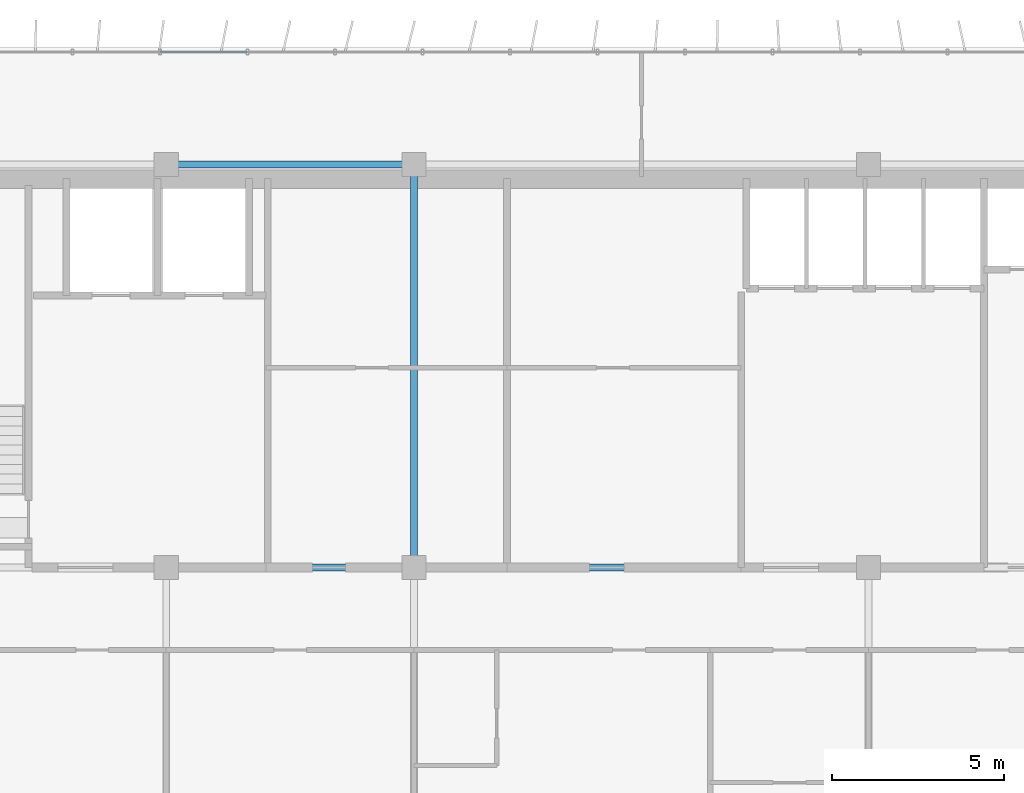
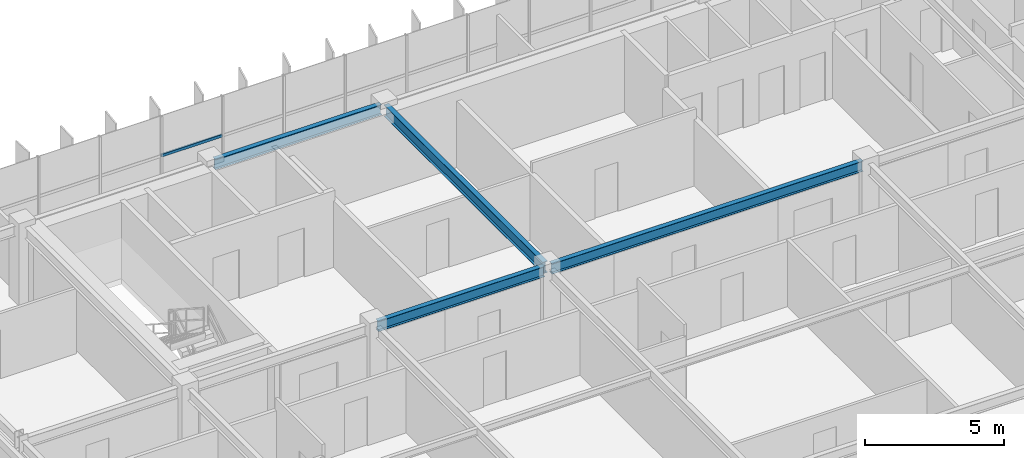
# One storey, part 7 of 23: 4 beams, 1 member, 1 element without a shape of its own.
"""IFC4 building model written with IfcOpenShell, lengths in metres."""

import ifcopenshell
import ifcopenshell.guid

model = None  # the IFC model being written
_history = None  # IfcOwnerHistory: only IFC2X3 demands one
_inside = {}  # id of a spatial element -> (the spatial element, [elements in it])
_under = {}  # id of a project, library or spatial element -> (it, [spatial elements below it])
_declared = {}  # id of a project -> (the project, [libraries it declares])
_typed = {}  # id of a type object -> (the type object, [elements of that type])
_made_of = {}  # id of a material, layer set ... -> (it, [elements and type objects made of it])


def new_model(schema):
    """Start an empty IFC model of exactly this schema.

    Asked for "IFC4X3", IfcOpenShell would pick the latest addendum, in which some entities
    have other attributes; the version numbers below select the first issue.
    IFC2X3 requires an IfcOwnerHistory on every rooted entity: one is made here for all.
    """
    global model, _history
    if schema == "IFC4X3":
        model = ifcopenshell.file(schema_version=(4, 3, 0, 0))
    else:
        model = ifcopenshell.file(schema=schema)
    _inside.clear()
    _under.clear()
    _declared.clear()
    _typed.clear()
    _made_of.clear()
    _history = None
    if model.schema == "IFC2X3":
        org = make("IfcOrganization", Name="unknown")
        user = make(
            "IfcPersonAndOrganization",
            ThePerson=make("IfcPerson", FamilyName="unknown"),
            TheOrganization=org,
        )
        app = make(
            "IfcApplication",
            ApplicationDeveloper=org,
            Version="unknown",
            ApplicationFullName="unknown",
            ApplicationIdentifier="unknown",
        )
        _history = make(
            "IfcOwnerHistory",
            OwningUser=user,
            OwningApplication=app,
            ChangeAction="ADDED",
            CreationDate=0,
        )
    return model


def make(cls, **values):
    """One entity of the class cls with the attributes given. An attribute that is None is left unset."""
    return model.create_entity(
        cls, **{name: value for name, value in values.items() if value is not None}
    )


def rooted(cls, **values):
    """An entity with a GlobalId (a new one), such as an element, a storey or a relation."""
    return make(cls, GlobalId=ifcopenshell.guid.new(), OwnerHistory=_history, **values)


def si_unit(unit_type, name, prefix=None):
    """IfcSIUnit, for example si_unit("LENGTHUNIT", "METRE", prefix="MILLI")."""
    return make("IfcSIUnit", UnitType=unit_type, Prefix=prefix, Name=name)


def assignment(units):
    """IfcUnitAssignment: the units of a project."""
    return None if units is None else make("IfcUnitAssignment", Units=units)


def point(xyz):
    """IfcCartesianPoint."""
    return None if xyz is None else make("IfcCartesianPoint", Coordinates=xyz)


def direction(xyz):
    """IfcDirection."""
    return None if xyz is None else make("IfcDirection", DirectionRatios=xyz)


def frame(location, z_axis=None, x_axis=None):
    """IfcAxis2Placement3D, a coordinate frame: its origin and axes. An axis left out is left unset."""
    return make(
        "IfcAxis2Placement3D",
        Location=point(location),
        Axis=direction(z_axis),
        RefDirection=direction(x_axis),
    )


def frame_2d(location, x_axis=None):
    """IfcAxis2Placement2D, a coordinate frame in the plane: its origin and x axis."""
    return make(
        "IfcAxis2Placement2D", Location=point(location), RefDirection=direction(x_axis)
    )


def origin():
    """The frame at (0, 0, 0) with its axes left unset."""
    return frame((0.0, 0.0, 0.0))


def origin_2d():
    """The frame at (0, 0) in the plane with its x axis left unset."""
    return frame_2d((0.0, 0.0))


def place(relative_to, where):
    """IfcLocalPlacement: puts the frame where relative to a parent placement (None: the world)."""
    return make(
        "IfcLocalPlacement", PlacementRelTo=relative_to, RelativePlacement=where
    )


def context(
    kind, dimensions, precision=None, world=None, true_north=None, identifier=None
):
    """IfcGeometricRepresentationContext, for example the 3D "Model" context."""
    return make(
        "IfcGeometricRepresentationContext",
        ContextIdentifier=identifier,
        ContextType=kind,
        CoordinateSpaceDimension=dimensions,
        Precision=precision,
        WorldCoordinateSystem=world,
        TrueNorth=true_north,
    )


def subcontext(parent, identifier, kind, view, scale=None):
    """IfcGeometricRepresentationSubContext, for example "Body" below "Model"."""
    return make(
        "IfcGeometricRepresentationSubContext",
        ContextIdentifier=identifier,
        ContextType=kind,
        ParentContext=parent,
        TargetScale=scale,
        TargetView=view,
    )


def project(units=None, contexts=None):
    """IfcProject with its units and contexts."""
    return rooted(
        "IfcProject",
        Name="project",
        RepresentationContexts=contexts,
        UnitsInContext=assignment(units),
    )


def spatial(cls, under=None, at=None, **own):
    """A site, building, storey or space (cls), placed at a placement, below another one or the project."""
    s = rooted(cls, ObjectPlacement=at, **own)
    if under is not None:
        _under.setdefault(under.id(), (under, []))[1].append(s)
    return s


def profile(cls, at=None, kind="AREA", **sizes):
    """A parametric profile (cls). Its sizes go by their IFC names, for example OverallWidth=200.0."""
    return make(cls, ProfileType=kind, Position=at, **sizes)


def hollow_rectangle(**sizes):
    """IfcRectangleHollowProfileDef."""
    return profile("IfcRectangleHollowProfileDef", **sizes)


def i_section(**sizes):
    """IfcIShapeProfileDef."""
    return profile("IfcIShapeProfileDef", **sizes)


def extrude(swept, where, along, depth):
    """IfcExtrudedAreaSolid: the profile swept, set in the frame where, extruded along a direction by depth."""
    return make(
        "IfcExtrudedAreaSolid",
        SweptArea=swept,
        Position=where,
        ExtrudedDirection=direction(along),
        Depth=depth,
    )


def shape(context_of_items, identifier, shape_type, items):
    """IfcShapeRepresentation: the items that make up one representation, for example the "Body"."""
    return make(
        "IfcShapeRepresentation",
        ContextOfItems=context_of_items,
        RepresentationIdentifier=identifier,
        RepresentationType=shape_type,
        Items=items,
    )


def source(mapping_origin, context_of_items, identifier, shape_type, items):
    """IfcRepresentationMap: a shape defined once, which mapped items show again and again."""
    return make(
        "IfcRepresentationMap",
        MappingOrigin=mapping_origin,
        MappedRepresentation=shape(context_of_items, identifier, shape_type, items),
    )


def transform(
    local_origin,
    x_axis=None,
    y_axis=None,
    z_axis=None,
    scale=None,
    scale2=None,
    scale3=None,
    uniform=True,
):
    """IfcCartesianTransformationOperator3D, or its non-uniform kind. x_axis, y_axis, z_axis: its Axis1, 2, 3."""
    if uniform:
        return make(
            "IfcCartesianTransformationOperator3D",
            Axis1=direction(x_axis),
            Axis2=direction(y_axis),
            LocalOrigin=point(local_origin),
            Scale=scale,
            Axis3=direction(z_axis),
        )
    return make(
        "IfcCartesianTransformationOperator3DnonUniform",
        Axis1=direction(x_axis),
        Axis2=direction(y_axis),
        LocalOrigin=point(local_origin),
        Scale=scale,
        Axis3=direction(z_axis),
        Scale2=scale2,
        Scale3=scale3,
    )


def mapped(mapping_source, mapping_target):
    """IfcMappedItem: shows the shape of a source again, moved by a transform."""
    return make(
        "IfcMappedItem", MappingSource=mapping_source, MappingTarget=mapping_target
    )


def material(Name=None, Category=None):
    """IfcMaterial."""
    return make("IfcMaterial", Name=Name, Category=Category)


def material_profile(
    of_material, cross_section, Name=None, Category=None, Priority=None
):
    """IfcMaterialProfile: a cross section and its material."""
    return make(
        "IfcMaterialProfile",
        Name=Name,
        Material=of_material,
        Profile=cross_section,
        Priority=Priority,
        Category=Category,
    )


def profile_set(profiles, Name=None, composite=None):
    """IfcMaterialProfileSet."""
    return make(
        "IfcMaterialProfileSet",
        Name=Name,
        MaterialProfiles=profiles,
        CompositeProfile=composite,
    )


def made_of(thing, what):
    """Note that an element or type object is made of a material, layer set ...; save() writes the relation."""
    if what is not None:
        _made_of.setdefault(what.id(), (what, []))[1].append(thing)
    return thing


def type_object(cls, material=None, **own):
    """A type object (cls), such as IfcWallType, which elements share."""
    return made_of(rooted(cls, **own), material)


def element(
    cls,
    number,
    at=None,
    inside=None,
    cuts=None,
    type_object=None,
    material=None,
    context=None,
    identifier="Body",
    shape_type=None,
    held_by="IfcProductDefinitionShape",
    body=None,
    shapes=None,
    **own,
):
    """One element of the class cls, such as IfcWall. Its Tag is "e" and its number.

    at: its placement. inside: the storey or other place that contains it. cuts: it is an
    opening in that element (IfcRelVoidsElement). A single representation is given by context,
    identifier, shape_type and body (its items); several are given by shapes. held_by: the class
    of the entity that holds the representations. save() writes the other relations.
    """
    e = rooted(cls, Tag="e%d" % number, ObjectPlacement=at, **own)
    if body is not None:
        shapes = [shape(context, identifier, shape_type, body)]
    if shapes is not None:
        e.Representation = make(held_by, Representations=shapes)
    if inside is not None:
        _inside.setdefault(inside.id(), (inside, []))[1].append(e)
    if cuts is not None:
        rooted(
            "IfcRelVoidsElement", RelatingBuildingElement=cuts, RelatedOpeningElement=e
        )
    if type_object is not None:
        _typed.setdefault(type_object.id(), (type_object, []))[1].append(e)
    return made_of(e, material)


def aggregate(whole, parts):
    """IfcRelAggregates: a whole, such as a stair, and the parts it consists of."""
    return rooted("IfcRelAggregates", RelatingObject=whole, RelatedObjects=parts)


def save(model, path):
    """Write the relations noted so far, then the file.

    IfcRelAggregates (storeys below a building ...), IfcRelContainedInSpatialStructure (elements
    in a storey), IfcRelDefinesByType, IfcRelAssociatesMaterial and IfcRelDeclares: one each for
    every whole, place, type object, material and project.
    """
    for whole, parts in _under.values():
        aggregate(whole, parts)
    for where, things in _inside.values():
        rooted(
            "IfcRelContainedInSpatialStructure",
            RelatedElements=things,
            RelatingStructure=where,
        )
    for kind, things in _typed.values():
        rooted("IfcRelDefinesByType", RelatedObjects=things, RelatingType=kind)
    for what, things in _made_of.values():
        rooted("IfcRelAssociatesMaterial", RelatedObjects=things, RelatingMaterial=what)
    for by, libraries in _declared.values():
        rooted("IfcRelDeclares", RelatingContext=by, RelatedDefinitions=libraries)
    model.write(path)


model = new_model("IFC4")

# Units and contexts
model_context = context("Model", 3, precision=1e-05, world=origin(), true_north=direction((0.0, 1.0)))
body_context = subcontext(model_context, "Body", "Model", "MODEL_VIEW")
ifc_project = project(units=[si_unit("LENGTHUNIT", "METRE"), si_unit("AREAUNIT", "SQUARE_METRE"), si_unit("VOLUMEUNIT", "CUBIC_METRE"), si_unit("PLANEANGLEUNIT", "RADIAN"), si_unit("MASSUNIT", "GRAM", prefix="KILO")], contexts=[model_context])

# Site, building, storey
site_placement = place(None, origin())
site = spatial("IfcSite", under=ifc_project, at=site_placement, CompositionType="ELEMENT")
building_placement = place(site_placement, origin())
building = spatial("IfcBuilding", under=site, at=building_placement, Name="Trelvane Seafront Commons", CompositionType="ELEMENT")
storey_placement = place(building_placement, frame((0.0, 0.0, 230.10009765625)))
storey = spatial("IfcBuildingStorey", under=building, at=storey_placement, Name="L60", CompositionType="ELEMENT", Elevation=230.10009765625)

# Beams
ifc_material_1 = material(Name="Steel SM355 (S355)", Category="steel")
ifc_material_profile_1 = material_profile(ifc_material_1, i_section(OverallWidth=0.199951171875, OverallDepth=0.5, WebThickness=0.010009765625, FlangeThickness=0.01611328125, at=origin_2d()), Name="H-500x200x10x16")
ifc_profile_set_1 = profile_set([ifc_material_profile_1], Name="Steel SM355 (S355)")
beam_type_1 = type_object("IfcBeamType", Name="STR-BM-H500", PredefinedType="BEAM", material=ifc_profile_set_1)
shared_shape_1 = source(origin(), body_context, "Body", "SweptSolid", [
    extrude(i_section(OverallWidth=0.199951171875, OverallDepth=0.5, WebThickness=0.010009765625, FlangeThickness=0.01611328125, at=origin_2d()), origin(), (0.0, 0.0, 1.0), 11.39990234375),
])
beam_1_placement = place(storey_placement, frame((30.60009765625, 33.550048828125, 3.10986328125), z_axis=(0.0, 1.0, 0.0), x_axis=(-1.0, 0.0, 0.0)))
element("IfcBeam", 1, at=beam_1_placement, inside=storey, type_object=beam_type_1, Name="L60 Primary Girder G-40", PredefinedType="BEAM", context=body_context, shape_type="MappedRepresentation", body=[
    mapped(shared_shape_1, transform((0.0, 0.0, 0.0), x_axis=(1.0, 0.0, 0.0), y_axis=(0.0, 1.0, 0.0), z_axis=(0.0, 0.0, 1.0), scale=1.0)),
])
ifc_material_profile_2 = material_profile(ifc_material_1, i_section(OverallWidth=0.199951171875, OverallDepth=0.449951171875, WebThickness=0.009033203125, FlangeThickness=0.013916015625, at=origin_2d()), Name="H-450x200x9x14")
ifc_profile_set_2 = profile_set([ifc_material_profile_2], Name="Steel SM355 (S355)")
beam_type_2 = type_object("IfcBeamType", Name="STR-SPD-H450", PredefinedType="SPANDREL", material=ifc_profile_set_2)
shared_shape_2 = source(origin(), body_context, "Body", "SweptSolid", [
    extrude(i_section(OverallWidth=0.199951171875, OverallDepth=0.449951171875, WebThickness=0.009033203125, FlangeThickness=0.013916015625, at=origin_2d()), origin(), (0.0, 0.0, 1.0), 6.89990234375),
])
for number, where, z_axis, x_axis, name in (
    (2, (23.550048828125, 33.39990234375, 3.135009765625), (1.0, 0.0, 0.0), (0.0, 1.0, 0.0), "L60 Primary Girder G-17"),
    (3, (23.550048828125, 45.10009765625, 3.135009765625), (1.0, 0.0, 0.0), (0.0, 1.0, 0.0), "L60 Primary Girder G-24"),
):
    element("IfcBeam", number, at=place(storey_placement, frame(where, z_axis=z_axis, x_axis=x_axis)), inside=storey, type_object=beam_type_2, Name=name, PredefinedType="SPANDREL", context=body_context, shape_type="MappedRepresentation", body=[
        mapped(shared_shape_2, transform((0.0, 0.0, 0.0), x_axis=(1.0, 0.0, 0.0), y_axis=(0.0, 1.0, 0.0), z_axis=(0.0, 0.0, 1.0), scale=1.0)),
    ])
shared_shape_3 = source(origin(), body_context, "Body", "SweptSolid", [
    extrude(i_section(OverallWidth=0.199951171875, OverallDepth=0.449951171875, WebThickness=0.009033203125, FlangeThickness=0.013916015625, at=origin_2d()), origin(), (0.0, 0.0, 1.0), 12.89990234375),
])
beam_2_placement = place(storey_placement, frame((30.75, 33.39990234375, 3.135009765625), z_axis=(1.0, 0.0, 0.0), x_axis=(0.0, 1.0, 0.0)))
element("IfcBeam", 4, at=beam_2_placement, inside=storey, type_object=beam_type_2, Name="L60 Primary Girder G-18", PredefinedType="SPANDREL", context=body_context, shape_type="MappedRepresentation", body=[
    mapped(shared_shape_3, transform((0.0, 0.0, 0.0), x_axis=(1.0, 0.0, 0.0), y_axis=(0.0, 1.0, 0.0), z_axis=(0.0, 0.0, 1.0), scale=1.0)),
])

# Curtain wall, member
ifc_material_2 = material(Name="Anodised pale-silver aluminium", Category="aluminium")
curtain_wall_type = type_object("IfcCurtainWallType", Name="ARCH-CW5-UPTOWER", PredefinedType="NOTDEFINED", material=ifc_material_2)
curtain_wall_placement = place(storey_placement, origin())
curtain_wall = element("IfcCurtainWall", 5, at=curtain_wall_placement, inside=storey, type_object=curtain_wall_type, Name="CW-L60-0103", PredefinedType="NOTDEFINED")
ifc_material_profile_3 = material_profile(ifc_material_2, hollow_rectangle(XDim=0.070068359375, YDim=0.1201171875, WallThickness=0.00390625, at=origin_2d()), Name="TRAN-70x120x4")
ifc_profile_set_3 = profile_set([ifc_material_profile_3], Name="Anodised pale-silver aluminium")
member_type = type_object("IfcMemberType", Name="ARCH-CW-TRAN-120", PredefinedType="USERDEFINED", material=ifc_profile_set_3)
shared_shape_4 = source(origin(), body_context, "Body", "SweptSolid", [
    extrude(hollow_rectangle(XDim=0.070068359375, YDim=0.1201171875, WallThickness=0.00390625, at=origin_2d()), origin(), (0.0, 0.0, 1.0), 2.51708984375),
])
member_placement = place(storey_placement, frame((23.235595703125, 48.3701171875, 1.61279296875), z_axis=(1.0, 0.0, 0.0), x_axis=(0.0, 1.0, 0.0)))
member = element("IfcMember", 6, at=member_placement, type_object=member_type, Name="CW-L60-0103-T03", ObjectType="TRANSOM", PredefinedType="USERDEFINED", context=body_context, shape_type="MappedRepresentation", body=[
    mapped(shared_shape_4, transform((0.0, 0.0, 0.0), x_axis=(1.0, 0.0, 0.0), y_axis=(0.0, 1.0, 0.0), z_axis=(0.0, 0.0, 1.0), scale=1.0)),
])
aggregate(curtain_wall, [member])

save(model, "model.ifc")
